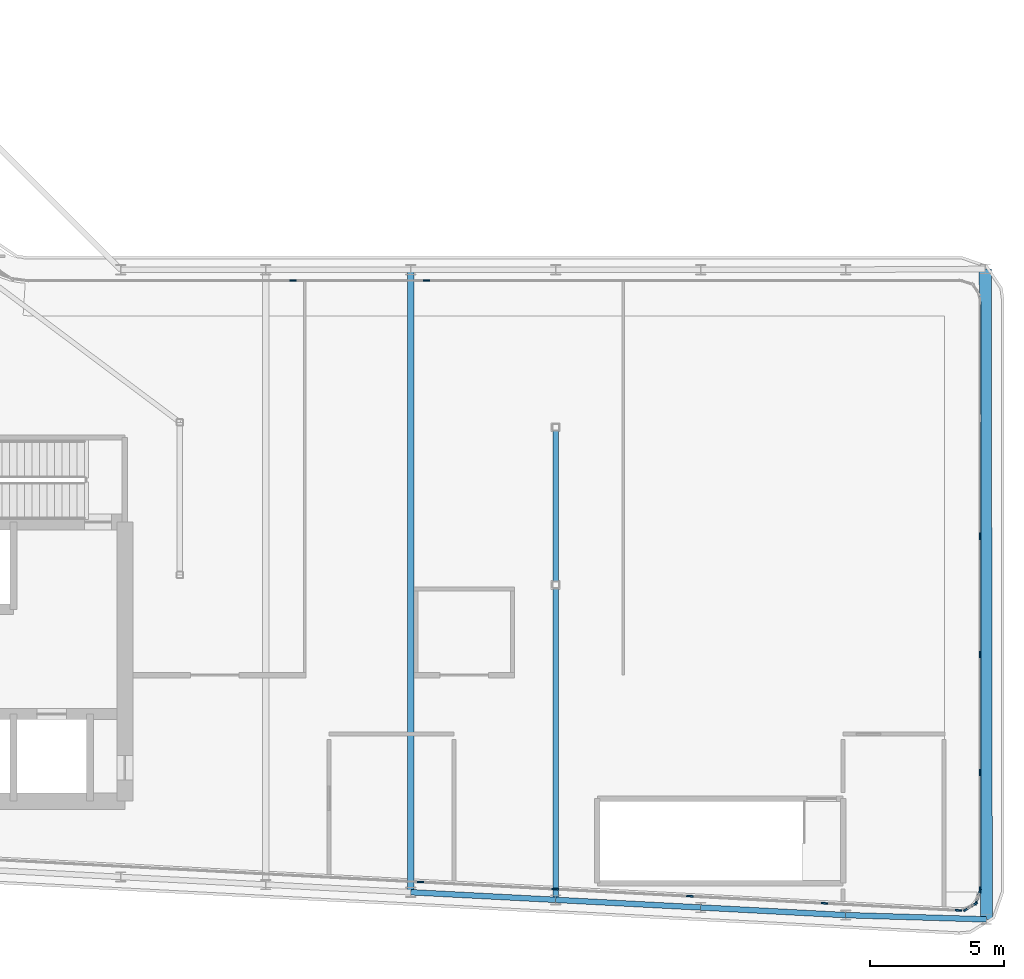
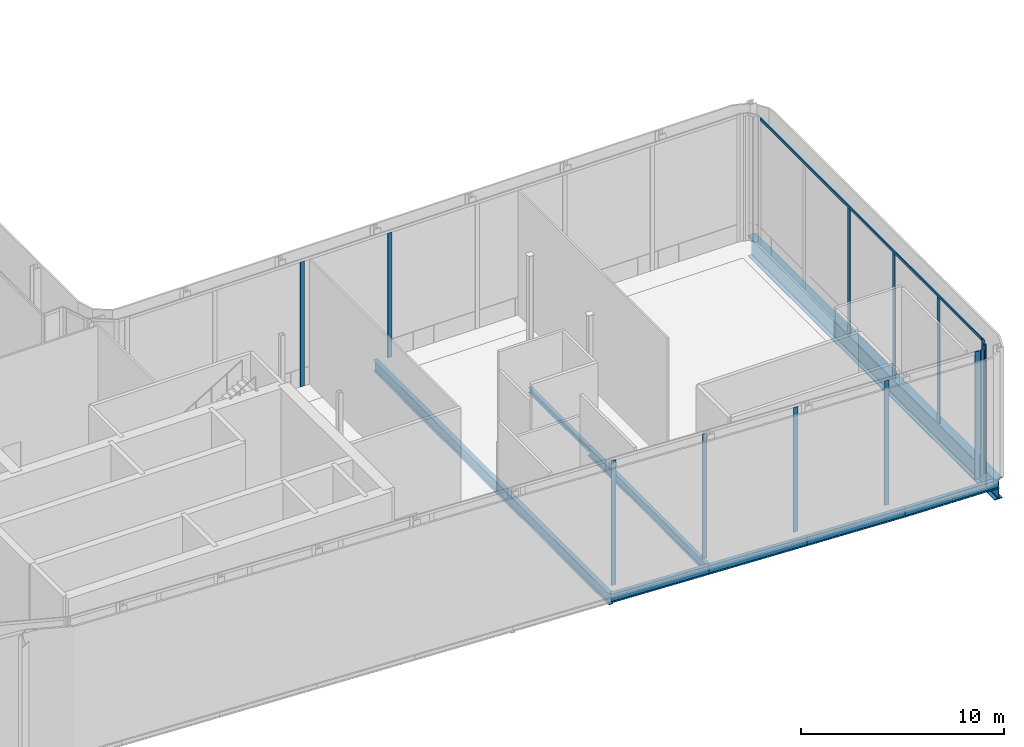
# One storey, part 7 of 27: 16 members, 8 beams, 5 elements without a shape of their own.
"""IFC4 building model written with IfcOpenShell, lengths in metres."""

from ifc_helpers import new_model, si_unit, direction, frame, origin, origin_2d, place, context, subcontext, project, spatial, rectangle, i_section, extrude, material, layer, layer_set, material_profile, profile_set, type_object, element, aggregate, save


model = new_model("IFC4")

# Units and contexts
model_context = context("Model", 3, precision=1e-05, world=origin(), true_north=direction((0.0, 1.0)))
body_context = subcontext(model_context, "Body", "Model", "MODEL_VIEW")
ifc_project = project(units=[si_unit("LENGTHUNIT", "METRE"), si_unit("AREAUNIT", "SQUARE_METRE"), si_unit("VOLUMEUNIT", "CUBIC_METRE"), si_unit("PLANEANGLEUNIT", "RADIAN"), si_unit("MASSUNIT", "GRAM", prefix="KILO")], contexts=[model_context])

# Site, building, storey
site_placement = place(None, origin())
site = spatial("IfcSite", under=ifc_project, at=site_placement, CompositionType="ELEMENT")
building_placement = place(site_placement, origin())
building = spatial("IfcBuilding", under=site, at=building_placement, Name="Kheshtan School and Residences Tower", CompositionType="ELEMENT")
storey_placement = place(building_placement, frame((0.0, 0.0, 266.89990234375)))
storey = spatial("IfcBuildingStorey", under=building, at=storey_placement, Name="L63", CompositionType="ELEMENT", Elevation=266.89990234375)

# Beams
ifc_material_1 = material(Name="Steel ASTM A992 Grade 50", Category="steel")
ifc_material_profile_1 = material_profile(ifc_material_1, i_section(OverallWidth=0.202880859375, OverallDepth=0.302978515625, WebThickness=0.007568359375, FlangeThickness=0.01318359375, FilletRadius=0.009033203125, at=origin_2d()), Name="W310x60")
ifc_profile_set_1 = profile_set([ifc_material_profile_1], Name="Steel ASTM A992 Grade 50")
beam_type_1 = type_object("IfcBeamType", Name="Beam FB1 W310x60 ASTM A992 Grade 50", PredefinedType="BEAM", material=ifc_profile_set_1)
beam_1_placement = place(storey_placement, frame((69.199951171875, 33.863037109375, -0.301513671875), z_axis=(0.0, 1.0, 0.0), x_axis=(-1.0, 0.0, 0.0)))
element("IfcBeam", 1, at=beam_1_placement, inside=storey, type_object=beam_type_1, Name="Floor beam IC", PredefinedType="BEAM", context=body_context, shape_type="SweptSolid", body=[
    extrude(i_section(OverallWidth=0.202880859375, OverallDepth=0.302978515625, WebThickness=0.007568359375, FlangeThickness=0.01318359375, FilletRadius=0.009033203125, at=origin_2d()), origin(), (0.0, 0.0, 1.0), 5.868896484375),
])
ifc_material_profile_2 = material_profile(ifc_material_1, i_section(OverallWidth=0.208984375, OverallDepth=0.532958984375, WebThickness=0.01025390625, FlangeThickness=0.015625, FilletRadius=0.013916015625, at=origin_2d()), Name="W530x92")
ifc_profile_set_2 = profile_set([ifc_material_profile_2], Name="Steel ASTM A992 Grade 50")
beam_type_2 = type_object("IfcBeamType", Name="Beam FB4 W530x92 ASTM A992 Grade 50", PredefinedType="BEAM", material=ifc_profile_set_2)
beam_2_placement = place(storey_placement, frame((69.199951171875, 22.126953125, -0.41650390625), z_axis=(0.0, 1.0, 0.0), x_axis=(-1.0, 0.0, 0.0)))
element("IfcBeam", 2, at=beam_2_placement, inside=storey, type_object=beam_type_2, Name="Floor beam C014", PredefinedType="BEAM", context=body_context, shape_type="SweptSolid", body=[
    extrude(i_section(OverallWidth=0.208984375, OverallDepth=0.532958984375, WebThickness=0.01025390625, FlangeThickness=0.015625, FilletRadius=0.013916015625, at=origin_2d()), origin(), (0.0, 0.0, 1.0), 11.736083984375),
])
ifc_material_profile_3 = material_profile(ifc_material_1, i_section(OverallWidth=0.2529296875, OverallDepth=0.677978515625, WebThickness=0.01171875, FlangeThickness=0.016357421875, FilletRadius=0.0146484375, at=origin_2d()), Name="W690x125")
ifc_profile_set_3 = profile_set([ifc_material_profile_3], Name="Steel ASTM A992 Grade 50")
beam_type_3 = type_object("IfcBeamType", Name="Beam FB6 W690x125 ASTM A992 Grade 50", PredefinedType="BEAM", material=ifc_profile_set_3)
beam_3_placement = place(storey_placement, frame((63.800048828125, 45.60009765625, -0.489013671875), z_axis=(0.0, -1.0, 0.0), x_axis=(1.0, 0.0, 0.0)))
element("IfcBeam", 3, at=beam_3_placement, inside=storey, type_object=beam_type_3, Name="Floor beam C063", PredefinedType="BEAM", context=body_context, shape_type="SweptSolid", body=[
    extrude(i_section(OverallWidth=0.2529296875, OverallDepth=0.677978515625, WebThickness=0.01171875, FlangeThickness=0.016357421875, FilletRadius=0.0146484375, at=origin_2d()), origin(), (0.0, 0.0, 1.0), 23.189208984375),
])
ifc_material_profile_4 = material_profile(ifc_material_1, i_section(OverallWidth=0.208984375, OverallDepth=0.532958984375, WebThickness=0.01025390625, FlangeThickness=0.015625, FilletRadius=0.013916015625, at=origin_2d()), Name="W530x92")
ifc_profile_set_4 = profile_set([ifc_material_profile_4], Name="Steel ASTM A992 Grade 50")
beam_type_4 = type_object("IfcBeamType", Name="Beam SP3 W530x92 ASTM A992 Grade 50", PredefinedType="BEAM", material=ifc_profile_set_4)
beam_4_placement = place(storey_placement, frame((85.243896484375, 21.39990234375, -0.41650390625), z_axis=(-0.999545226068, 0.030155282206, 0.0), x_axis=(-0.030155282206, -0.999545226068, 0.0)))
element("IfcBeam", 4, at=beam_4_placement, inside=storey, type_object=beam_type_4, Name="Spandrel beam C011-C012", PredefinedType="BEAM", context=body_context, shape_type="SweptSolid", body=[
    extrude(i_section(OverallWidth=0.208984375, OverallDepth=0.532958984375, WebThickness=0.01025390625, FlangeThickness=0.015625, FilletRadius=0.013916015625, at=origin_2d()), origin(), (0.0, 0.0, 1.0), 5.246337890625),
])
beam_5_placement = place(storey_placement, frame((80.0, 21.55810546875, -0.41650390625), z_axis=(-0.998610961136, 0.052689166816, 0.0), x_axis=(-0.052689166816, -0.998610961136, 0.0)))
element("IfcBeam", 5, at=beam_5_placement, inside=storey, type_object=beam_type_4, Name="Spandrel beam C012-C013", PredefinedType="BEAM", context=body_context, shape_type="SweptSolid", body=[
    extrude(i_section(OverallWidth=0.208984375, OverallDepth=0.532958984375, WebThickness=0.01025390625, FlangeThickness=0.015625, FilletRadius=0.013916015625, at=origin_2d()), origin(), (0.0, 0.0, 1.0), 5.407470703125),
])
beam_6_placement = place(storey_placement, frame((74.60009765625, 21.843017578125, -0.41650390625), z_axis=(-0.998620571751, 0.05250670125, 0.0), x_axis=(-0.05250670125, -0.998620571751, 0.0)))
element("IfcBeam", 6, at=beam_6_placement, inside=storey, type_object=beam_type_4, Name="Spandrel beam C013-C014", PredefinedType="BEAM", context=body_context, shape_type="SweptSolid", body=[
    extrude(i_section(OverallWidth=0.208984375, OverallDepth=0.532958984375, WebThickness=0.01025390625, FlangeThickness=0.015625, FilletRadius=0.013916015625, at=origin_2d()), origin(), (0.0, 0.0, 1.0), 5.40771484375),
])
beam_7_placement = place(storey_placement, frame((69.199951171875, 22.126953125, -0.41650390625), z_axis=(-0.998620447272, 0.05250906864, 0.0), x_axis=(-0.05250906864, -0.998620447272, 0.0)))
element("IfcBeam", 7, at=beam_7_placement, inside=storey, type_object=beam_type_4, Name="Spandrel beam C014-C016", PredefinedType="BEAM", context=body_context, shape_type="SweptSolid", body=[
    extrude(i_section(OverallWidth=0.208984375, OverallDepth=0.532958984375, WebThickness=0.01025390625, FlangeThickness=0.015625, FilletRadius=0.013916015625, at=origin_2d()), origin(), (0.0, 0.0, 1.0), 5.407470703125),
])

# Curtain wall, members
ifc_material_2 = material(Name="Clear low-e glass in thermally broken aluminium frame", Category="aluminium")
ifc_layer = layer(ifc_material_2, 0.25)
ifc_layer_set = layer_set([ifc_layer], Name="Curtain wall CW-K")
curtain_wall_type = type_object("IfcCurtainWallType", Name="Curtain wall CW-K", PredefinedType="NOTDEFINED", material=ifc_layer_set)
curtain_wall_1_placement = place(storey_placement, origin())
curtain_wall_1 = element("IfcCurtainWall", 8, at=curtain_wall_1_placement, inside=storey, type_object=curtain_wall_type, Name="Curtain wall CWK3a", PredefinedType="NOTDEFINED")
ifc_material_3 = material(Name="Thermally broken aluminium, dark bronze anodised", Category="aluminium")
ifc_material_profile_5 = material_profile(ifc_material_3, rectangle(XDim=0.06005859375, YDim=0.25, at=origin_2d()), Name="CW-K mullion 60x250")
ifc_profile_set_5 = profile_set([ifc_material_profile_5], Name="Thermally broken aluminium, dark bronze anodised")
member_type_1 = type_object("IfcMemberType", Name="CW-K mullion 60x250", PredefinedType="MULLION", material=ifc_profile_set_5)
member_1_placement = place(storey_placement, frame((85.0, 35.66796875, 0.0), z_axis=(0.0, 0.0, 1.0), x_axis=(1.0, 0.0, 0.0)))
member_1 = element("IfcMember", 9, at=member_1_placement, type_object=member_type_1, Name="CWK3a mullion 3", PredefinedType="MULLION", context=body_context, shape_type="SweptSolid", body=[
    extrude(rectangle(XDim=0.06005859375, YDim=0.25, at=origin_2d()), origin(), (0.0, 0.0, 1.0), 7.489990234375),
])
member_2_placement = place(storey_placement, frame((85.0, 31.26708984375, 0.0), z_axis=(0.0, 0.0, 1.0), x_axis=(1.0, 0.0, 0.0)))
member_2 = element("IfcMember", 10, at=member_2_placement, type_object=member_type_1, Name="CWK3a mullion 4", PredefinedType="MULLION", context=body_context, shape_type="SweptSolid", body=[
    extrude(rectangle(XDim=0.06005859375, YDim=0.25, at=origin_2d()), origin(), (0.0, 0.0, 1.0), 7.489990234375),
])
member_3_placement = place(storey_placement, frame((85.0, 26.865966796875, 0.0), z_axis=(0.0, 0.0, 1.0), x_axis=(1.0, 0.0, 0.0)))
member_3 = element("IfcMember", 11, at=member_3_placement, type_object=member_type_1, Name="CWK3a mullion 5", PredefinedType="MULLION", context=body_context, shape_type="SweptSolid", body=[
    extrude(rectangle(XDim=0.06005859375, YDim=0.25, at=origin_2d()), origin(), (0.0, 0.0, 1.0), 7.489990234375),
])
member_4_placement = place(storey_placement, frame((85.0, 22.4951171875, 0.0), z_axis=(0.0, 0.0, 1.0), x_axis=(1.0, 0.0, 0.0)))
member_4 = element("IfcMember", 12, at=member_4_placement, type_object=member_type_1, Name="CWK3a mullion 6", PredefinedType="MULLION", context=body_context, shape_type="SweptSolid", body=[
    extrude(rectangle(XDim=0.06005859375, YDim=0.25, at=origin_2d()), origin(), (0.0, 0.0, 1.0), 7.650146484375),
])

curtain_wall_2_placement = place(storey_placement, origin())
curtain_wall_2 = element("IfcCurtainWall", 13, at=curtain_wall_2_placement, inside=storey, type_object=curtain_wall_type, Name="Curtain wall CWK4a", PredefinedType="NOTDEFINED")
member_5_placement = place(storey_placement, frame((84.985595703125, 22.4052734375, 0.0), z_axis=(0.0, 0.0, 1.0), x_axis=(0.950081428698, -0.31200204942, 0.0)))
member_5 = element("IfcMember", 14, at=member_5_placement, type_object=member_type_1, Name="CWK4a mullion 1", PredefinedType="MULLION", context=body_context, shape_type="SweptSolid", body=[
    extrude(rectangle(XDim=0.06005859375, YDim=0.25, at=origin_2d()), origin(), (0.0, 0.0, 1.0), 7.650146484375),
])
member_6_placement = place(storey_placement, frame((84.871337890625, 22.057373046875, 0.0), z_axis=(0.0, 0.0, 1.0), x_axis=(0.950081428698, -0.31200204942, 0.0)))
member_6 = element("IfcMember", 15, at=member_6_placement, type_object=member_type_1, Name="CWK4a mullion 2", PredefinedType="MULLION", context=body_context, shape_type="SweptSolid", body=[
    extrude(rectangle(XDim=0.06005859375, YDim=0.25, at=origin_2d()), origin(), (0.0, 0.0, 1.0), 7.650146484375),
])
aggregate(curtain_wall_2, [member_5, member_6])

curtain_wall_3_placement = place(storey_placement, origin())
curtain_wall_3 = element("IfcCurtainWall", 16, at=curtain_wall_3_placement, inside=storey, type_object=curtain_wall_type, Name="Curtain wall CWK5", PredefinedType="NOTDEFINED")
member_7_placement = place(storey_placement, frame((84.79443359375, 21.959228515625, 0.0), z_axis=(0.0, 0.0, 1.0), x_axis=(0.528866597153, -0.848704967828, 0.0)))
member_7 = element("IfcMember", 17, at=member_7_placement, type_object=member_type_1, Name="CWK5 mullion 1", PredefinedType="MULLION", context=body_context, shape_type="SweptSolid", body=[
    extrude(rectangle(XDim=0.06005859375, YDim=0.25, at=origin_2d()), origin(), (0.0, 0.0, 1.0), 7.650146484375),
])
member_8_placement = place(storey_placement, frame((84.50830078125, 21.781005859375, 0.0), z_axis=(0.0, 0.0, 1.0), x_axis=(0.528866597153, -0.848704967828, 0.0)))
member_8 = element("IfcMember", 18, at=member_8_placement, type_object=member_type_1, Name="CWK5 mullion 2", PredefinedType="MULLION", context=body_context, shape_type="SweptSolid", body=[
    extrude(rectangle(XDim=0.06005859375, YDim=0.25, at=origin_2d()), origin(), (0.0, 0.0, 1.0), 7.650146484375),
])
aggregate(curtain_wall_3, [member_7, member_8])

curtain_wall_4_placement = place(storey_placement, origin())
curtain_wall_4 = element("IfcCurtainWall", 19, at=curtain_wall_4_placement, inside=storey, type_object=curtain_wall_type, Name="Curtain wall CWK6a", PredefinedType="NOTDEFINED")
member_9_placement = place(storey_placement, frame((84.202880859375, 21.73779296875, 0.0), z_axis=(0.0, 0.0, 1.0), x_axis=(-0.052566145875, -0.998617444424, 0.0)))
member_9 = element("IfcMember", 20, at=member_9_placement, type_object=member_type_1, Name="CWK6a mullion 1", PredefinedType="MULLION", context=body_context, shape_type="SweptSolid", body=[
    extrude(rectangle(XDim=0.06005859375, YDim=0.25, at=origin_2d()), origin(), (0.0, 0.0, 1.0), 7.650146484375),
])
member_10_placement = place(storey_placement, frame((79.215576171875, 22.000244140625, 0.0), z_axis=(0.0, 0.0, 1.0), x_axis=(-0.052566145875, -0.998617444424, 0.0)))
member_10 = element("IfcMember", 21, at=member_10_placement, type_object=member_type_1, Name="CWK6a mullion 2", PredefinedType="MULLION", context=body_context, shape_type="SweptSolid", body=[
    extrude(rectangle(XDim=0.06005859375, YDim=0.25, at=origin_2d()), origin(), (0.0, 0.0, 1.0), 7.489990234375),
])
member_11_placement = place(storey_placement, frame((74.1982421875, 22.264404296875, 0.0), z_axis=(0.0, 0.0, 1.0), x_axis=(-0.052566145875, -0.998617444424, 0.0)))
member_11 = element("IfcMember", 22, at=member_11_placement, type_object=member_type_1, Name="CWK6a mullion 3", PredefinedType="MULLION", context=body_context, shape_type="SweptSolid", body=[
    extrude(rectangle(XDim=0.06005859375, YDim=0.25, at=origin_2d()), origin(), (0.0, 0.0, 1.0), 7.489990234375),
])
member_12_placement = place(storey_placement, frame((69.18115234375, 22.5283203125, 0.0), z_axis=(0.0, 0.0, 1.0), x_axis=(-0.052566145875, -0.998617444424, 0.0)))
member_12 = element("IfcMember", 23, at=member_12_placement, type_object=member_type_1, Name="CWK6a mullion 4", PredefinedType="MULLION", context=body_context, shape_type="SweptSolid", body=[
    extrude(rectangle(XDim=0.06005859375, YDim=0.25, at=origin_2d()), origin(), (0.0, 0.0, 1.0), 7.489990234375),
])
member_13_placement = place(storey_placement, frame((64.1640625, 22.79248046875, 0.0), z_axis=(0.0, 0.0, 1.0), x_axis=(-0.052566145875, -0.998617444424, 0.0)))
member_13 = element("IfcMember", 24, at=member_13_placement, type_object=member_type_1, Name="CWK6a mullion 5", PredefinedType="MULLION", context=body_context, shape_type="SweptSolid", body=[
    extrude(rectangle(XDim=0.06005859375, YDim=0.25, at=origin_2d()), origin(), (0.0, 0.0, 1.0), 7.489990234375),
])
aggregate(curtain_wall_4, [member_9, member_10, member_11, member_12, member_13])

curtain_wall_5_placement = place(storey_placement, origin())
curtain_wall_5 = element("IfcCurtainWall", 25, at=curtain_wall_5_placement, inside=storey, type_object=curtain_wall_type, Name="Curtain wall CWK24a", PredefinedType="NOTDEFINED")
member_14_placement = place(storey_placement, frame((59.412109375, 45.199951171875, 0.0), z_axis=(0.0, 0.0, 1.0), x_axis=(0.0, 1.0, 0.0)))
member_14 = element("IfcMember", 26, at=member_14_placement, type_object=member_type_1, Name="CWK24a mullion 3", PredefinedType="MULLION", context=body_context, shape_type="SweptSolid", body=[
    extrude(rectangle(XDim=0.06005859375, YDim=0.25, at=origin_2d()), origin(), (0.0, 0.0, 1.0), 7.489990234375),
])
member_15_placement = place(storey_placement, frame((64.3837890625, 45.199951171875, 0.0), z_axis=(0.0, 0.0, 1.0), x_axis=(0.0, 1.0, 0.0)))
member_15 = element("IfcMember", 27, at=member_15_placement, type_object=member_type_1, Name="CWK24a mullion 4", PredefinedType="MULLION", context=body_context, shape_type="SweptSolid", body=[
    extrude(rectangle(XDim=0.06005859375, YDim=0.25, at=origin_2d()), origin(), (0.0, 0.0, 1.0), 7.489990234375),
])
aggregate(curtain_wall_5, [member_14, member_15])

# Member
ifc_material_profile_6 = material_profile(ifc_material_3, rectangle(XDim=0.06005859375, YDim=0.159912109375, at=origin_2d()), Name="CW-K transom 60x160")
ifc_profile_set_6 = profile_set([ifc_material_profile_6], Name="Thermally broken aluminium, dark bronze anodised")
member_type_2 = type_object("IfcMemberType", Name="CW-K transom 60x160", PredefinedType="USERDEFINED", material=ifc_profile_set_6)
member_16_placement = place(storey_placement, frame((85.0, 44.409912109375, 7.570068359375), z_axis=(0.0, -1.0, 0.0), x_axis=(1.0, 0.0, 0.0)))
member_16 = element("IfcMember", 28, at=member_16_placement, type_object=member_type_2, Name="CWK3a transom 1", ObjectType="TRANSOM", PredefinedType="USERDEFINED", context=body_context, shape_type="SweptSolid", body=[
    extrude(rectangle(XDim=0.06005859375, YDim=0.159912109375, at=origin_2d()), origin(), (0.0, 0.0, 1.0), 21.885009765625),
])

aggregate(curtain_wall_1, [member_1, member_2, member_3, member_4, member_16])

# Beam
ifc_material_profile_7 = material_profile(ifc_material_1, i_section(OverallWidth=0.449951171875, OverallDepth=1.25, WebThickness=0.02490234375, FlangeThickness=0.044921875, FilletRadius=0.03759765625, at=origin_2d()), Name="WWF1250x546")
ifc_profile_set_7 = profile_set([ifc_material_profile_7], Name="Steel ASTM A992 Grade 50")
beam_type_5 = type_object("IfcBeamType", Name="Transfer girder TG4 WWF1250x546 ASTM A992 Grade 50", PredefinedType="BEAM", material=ifc_profile_set_7)
beam_8_placement = place(storey_placement, frame((85.201904296875, 45.6279296875, -0.77490234375), z_axis=(0.001733204434, -0.999998498, 0.0), x_axis=(0.999998498, 0.001733204434, 0.0)))
element("IfcBeam", 29, at=beam_8_placement, inside=storey, type_object=beam_type_5, Name="Transfer girder C076-C011", PredefinedType="BEAM", context=body_context, shape_type="SweptSolid", body=[
    extrude(i_section(OverallWidth=0.449951171875, OverallDepth=1.25, WebThickness=0.02490234375, FlangeThickness=0.044921875, FilletRadius=0.03759765625, at=origin_2d()), origin(), (0.0, 0.0, 1.0), 24.22802734375),
])

save(model, "model.ifc")
